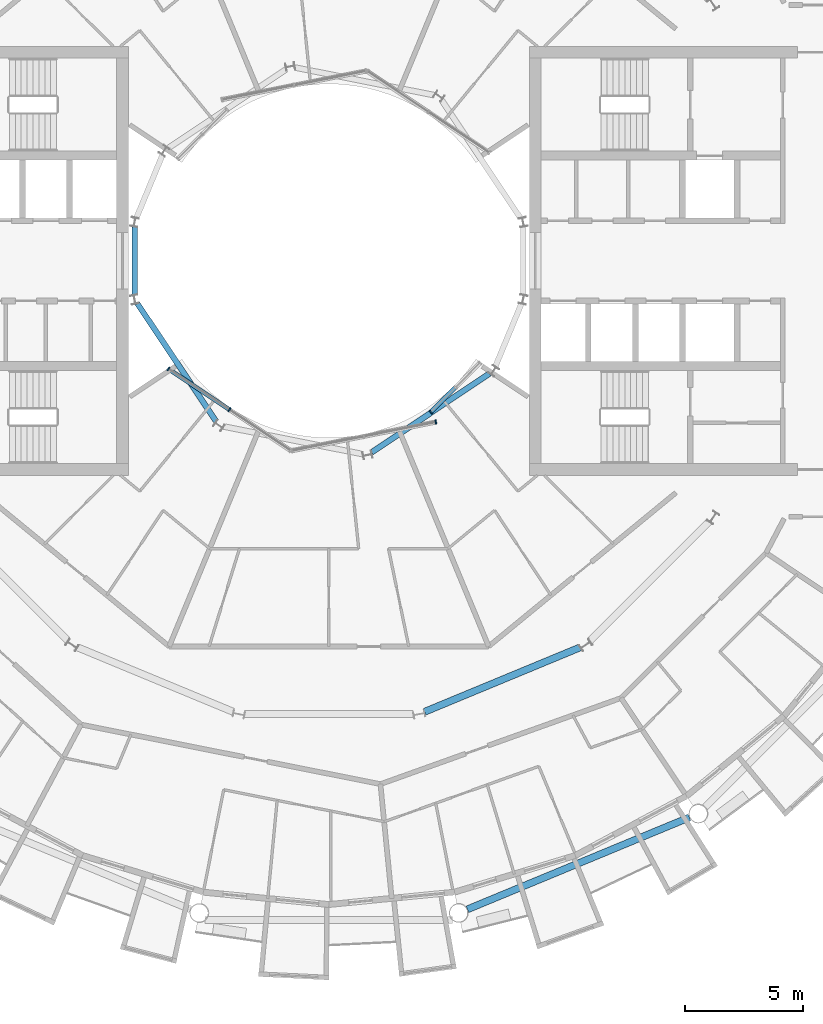
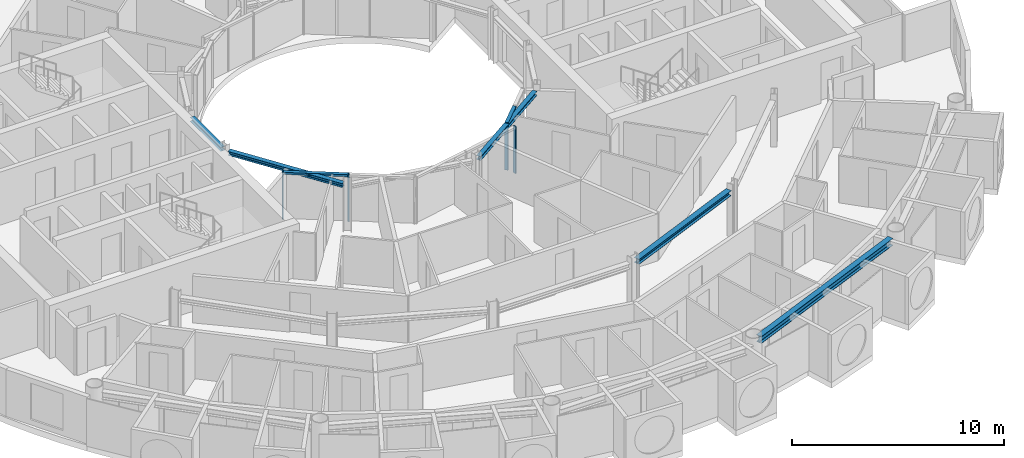
# One storey, part 6 of 28: 6 members, 5 beams, 3 elements without a shape of their own.
"""IFC4 building model written with IfcOpenShell, lengths in metres."""

import ifcopenshell
import ifcopenshell.guid

model = None  # the IFC model being written
_history = None  # IfcOwnerHistory: only IFC2X3 demands one
_inside = {}  # id of a spatial element -> (the spatial element, [elements in it])
_under = {}  # id of a project, library or spatial element -> (it, [spatial elements below it])
_declared = {}  # id of a project -> (the project, [libraries it declares])
_typed = {}  # id of a type object -> (the type object, [elements of that type])
_made_of = {}  # id of a material, layer set ... -> (it, [elements and type objects made of it])


def new_model(schema):
    """Start an empty IFC model of exactly this schema.

    Asked for "IFC4X3", IfcOpenShell would pick the latest addendum, in which some entities
    have other attributes; the version numbers below select the first issue.
    IFC2X3 requires an IfcOwnerHistory on every rooted entity: one is made here for all.
    """
    global model, _history
    if schema == "IFC4X3":
        model = ifcopenshell.file(schema_version=(4, 3, 0, 0))
    else:
        model = ifcopenshell.file(schema=schema)
    _inside.clear()
    _under.clear()
    _declared.clear()
    _typed.clear()
    _made_of.clear()
    _history = None
    if model.schema == "IFC2X3":
        org = make("IfcOrganization", Name="unknown")
        user = make(
            "IfcPersonAndOrganization",
            ThePerson=make("IfcPerson", FamilyName="unknown"),
            TheOrganization=org,
        )
        app = make(
            "IfcApplication",
            ApplicationDeveloper=org,
            Version="unknown",
            ApplicationFullName="unknown",
            ApplicationIdentifier="unknown",
        )
        _history = make(
            "IfcOwnerHistory",
            OwningUser=user,
            OwningApplication=app,
            ChangeAction="ADDED",
            CreationDate=0,
        )
    return model


def make(cls, **values):
    """One entity of the class cls with the attributes given. An attribute that is None is left unset."""
    return model.create_entity(
        cls, **{name: value for name, value in values.items() if value is not None}
    )


def rooted(cls, **values):
    """An entity with a GlobalId (a new one), such as an element, a storey or a relation."""
    return make(cls, GlobalId=ifcopenshell.guid.new(), OwnerHistory=_history, **values)


def si_unit(unit_type, name, prefix=None):
    """IfcSIUnit, for example si_unit("LENGTHUNIT", "METRE", prefix="MILLI")."""
    return make("IfcSIUnit", UnitType=unit_type, Prefix=prefix, Name=name)


def assignment(units):
    """IfcUnitAssignment: the units of a project."""
    return None if units is None else make("IfcUnitAssignment", Units=units)


def point(xyz):
    """IfcCartesianPoint."""
    return None if xyz is None else make("IfcCartesianPoint", Coordinates=xyz)


def direction(xyz):
    """IfcDirection."""
    return None if xyz is None else make("IfcDirection", DirectionRatios=xyz)


def frame(location, z_axis=None, x_axis=None):
    """IfcAxis2Placement3D, a coordinate frame: its origin and axes. An axis left out is left unset."""
    return make(
        "IfcAxis2Placement3D",
        Location=point(location),
        Axis=direction(z_axis),
        RefDirection=direction(x_axis),
    )


def frame_2d(location, x_axis=None):
    """IfcAxis2Placement2D, a coordinate frame in the plane: its origin and x axis."""
    return make(
        "IfcAxis2Placement2D", Location=point(location), RefDirection=direction(x_axis)
    )


def origin():
    """The frame at (0, 0, 0) with its axes left unset."""
    return frame((0.0, 0.0, 0.0))


def origin_2d():
    """The frame at (0, 0) in the plane with its x axis left unset."""
    return frame_2d((0.0, 0.0))


def place(relative_to, where):
    """IfcLocalPlacement: puts the frame where relative to a parent placement (None: the world)."""
    return make(
        "IfcLocalPlacement", PlacementRelTo=relative_to, RelativePlacement=where
    )


def context(
    kind, dimensions, precision=None, world=None, true_north=None, identifier=None
):
    """IfcGeometricRepresentationContext, for example the 3D "Model" context."""
    return make(
        "IfcGeometricRepresentationContext",
        ContextIdentifier=identifier,
        ContextType=kind,
        CoordinateSpaceDimension=dimensions,
        Precision=precision,
        WorldCoordinateSystem=world,
        TrueNorth=true_north,
    )


def subcontext(parent, identifier, kind, view, scale=None):
    """IfcGeometricRepresentationSubContext, for example "Body" below "Model"."""
    return make(
        "IfcGeometricRepresentationSubContext",
        ContextIdentifier=identifier,
        ContextType=kind,
        ParentContext=parent,
        TargetScale=scale,
        TargetView=view,
    )


def project(units=None, contexts=None):
    """IfcProject with its units and contexts."""
    return rooted(
        "IfcProject",
        Name="project",
        RepresentationContexts=contexts,
        UnitsInContext=assignment(units),
    )


def spatial(cls, under=None, at=None, **own):
    """A site, building, storey or space (cls), placed at a placement, below another one or the project."""
    s = rooted(cls, ObjectPlacement=at, **own)
    if under is not None:
        _under.setdefault(under.id(), (under, []))[1].append(s)
    return s


def profile(cls, at=None, kind="AREA", **sizes):
    """A parametric profile (cls). Its sizes go by their IFC names, for example OverallWidth=200.0."""
    return make(cls, ProfileType=kind, Position=at, **sizes)


def rectangle(**sizes):
    """IfcRectangleProfileDef."""
    return profile("IfcRectangleProfileDef", **sizes)


def i_section(**sizes):
    """IfcIShapeProfileDef."""
    return profile("IfcIShapeProfileDef", **sizes)


def extrude(swept, where, along, depth):
    """IfcExtrudedAreaSolid: the profile swept, set in the frame where, extruded along a direction by depth."""
    return make(
        "IfcExtrudedAreaSolid",
        SweptArea=swept,
        Position=where,
        ExtrudedDirection=direction(along),
        Depth=depth,
    )


def shape(context_of_items, identifier, shape_type, items):
    """IfcShapeRepresentation: the items that make up one representation, for example the "Body"."""
    return make(
        "IfcShapeRepresentation",
        ContextOfItems=context_of_items,
        RepresentationIdentifier=identifier,
        RepresentationType=shape_type,
        Items=items,
    )


def material(Name=None, Category=None):
    """IfcMaterial."""
    return make("IfcMaterial", Name=Name, Category=Category)


def layer(
    of_material, thickness, ventilated=None, Name=None, Category=None, Priority=None
):
    """IfcMaterialLayer: one layer of a wall or slab, of a material (None: an air gap)."""
    return make(
        "IfcMaterialLayer",
        Material=of_material,
        LayerThickness=thickness,
        IsVentilated=ventilated,
        Name=Name,
        Category=Category,
        Priority=Priority,
    )


def layer_set(layers, Name=None):
    """IfcMaterialLayerSet."""
    return make("IfcMaterialLayerSet", MaterialLayers=layers, LayerSetName=Name)


def material_profile(
    of_material, cross_section, Name=None, Category=None, Priority=None
):
    """IfcMaterialProfile: a cross section and its material."""
    return make(
        "IfcMaterialProfile",
        Name=Name,
        Material=of_material,
        Profile=cross_section,
        Priority=Priority,
        Category=Category,
    )


def profile_set(profiles, Name=None, composite=None):
    """IfcMaterialProfileSet."""
    return make(
        "IfcMaterialProfileSet",
        Name=Name,
        MaterialProfiles=profiles,
        CompositeProfile=composite,
    )


def made_of(thing, what):
    """Note that an element or type object is made of a material, layer set ...; save() writes the relation."""
    if what is not None:
        _made_of.setdefault(what.id(), (what, []))[1].append(thing)
    return thing


def type_object(cls, material=None, **own):
    """A type object (cls), such as IfcWallType, which elements share."""
    return made_of(rooted(cls, **own), material)


def element(
    cls,
    number,
    at=None,
    inside=None,
    cuts=None,
    type_object=None,
    material=None,
    context=None,
    identifier="Body",
    shape_type=None,
    held_by="IfcProductDefinitionShape",
    body=None,
    shapes=None,
    **own,
):
    """One element of the class cls, such as IfcWall. Its Tag is "e" and its number.

    at: its placement. inside: the storey or other place that contains it. cuts: it is an
    opening in that element (IfcRelVoidsElement). A single representation is given by context,
    identifier, shape_type and body (its items); several are given by shapes. held_by: the class
    of the entity that holds the representations. save() writes the other relations.
    """
    e = rooted(cls, Tag="e%d" % number, ObjectPlacement=at, **own)
    if body is not None:
        shapes = [shape(context, identifier, shape_type, body)]
    if shapes is not None:
        e.Representation = make(held_by, Representations=shapes)
    if inside is not None:
        _inside.setdefault(inside.id(), (inside, []))[1].append(e)
    if cuts is not None:
        rooted(
            "IfcRelVoidsElement", RelatingBuildingElement=cuts, RelatedOpeningElement=e
        )
    if type_object is not None:
        _typed.setdefault(type_object.id(), (type_object, []))[1].append(e)
    return made_of(e, material)


def aggregate(whole, parts):
    """IfcRelAggregates: a whole, such as a stair, and the parts it consists of."""
    return rooted("IfcRelAggregates", RelatingObject=whole, RelatedObjects=parts)


def save(model, path):
    """Write the relations noted so far, then the file.

    IfcRelAggregates (storeys below a building ...), IfcRelContainedInSpatialStructure (elements
    in a storey), IfcRelDefinesByType, IfcRelAssociatesMaterial and IfcRelDeclares: one each for
    every whole, place, type object, material and project.
    """
    for whole, parts in _under.values():
        aggregate(whole, parts)
    for where, things in _inside.values():
        rooted(
            "IfcRelContainedInSpatialStructure",
            RelatedElements=things,
            RelatingStructure=where,
        )
    for kind, things in _typed.values():
        rooted("IfcRelDefinesByType", RelatedObjects=things, RelatingType=kind)
    for what, things in _made_of.values():
        rooted("IfcRelAssociatesMaterial", RelatedObjects=things, RelatingMaterial=what)
    for by, libraries in _declared.values():
        rooted("IfcRelDeclares", RelatingContext=by, RelatedDefinitions=libraries)
    model.write(path)


model = new_model("IFC4")

# Units and contexts
model_context = context("Model", 3, precision=1e-05, world=origin(), true_north=direction((0.0, 1.0)))
body_context = subcontext(model_context, "Body", "Model", "MODEL_VIEW")
ifc_project = project(units=[si_unit("LENGTHUNIT", "METRE"), si_unit("AREAUNIT", "SQUARE_METRE"), si_unit("VOLUMEUNIT", "CUBIC_METRE"), si_unit("PLANEANGLEUNIT", "RADIAN"), si_unit("MASSUNIT", "GRAM", prefix="KILO")], contexts=[model_context])

# Site, building, storey
site_placement = place(None, origin())
site = spatial("IfcSite", under=ifc_project, at=site_placement, CompositionType="ELEMENT")
building_placement = place(site_placement, origin())
building = spatial("IfcBuilding", under=site, at=building_placement, Name="Maasbend Ring Residences", CompositionType="ELEMENT")
storey_placement = place(building_placement, frame((0.0, 0.0, 173.800048828125)))
storey = spatial("IfcBuildingStorey", under=building, at=storey_placement, Name="L50", CompositionType="ELEMENT", Elevation=173.800048828125)

# Curtain wall, members
ifc_material_1 = material(Name="Aluminium and clear glass", Category="aluminium")
ifc_layer = layer(ifc_material_1, 0.179931640625)
ifc_layer_set = layer_set([ifc_layer], Name="CW-W")
curtain_wall_type = type_object("IfcCurtainWallType", Name="CW-W", PredefinedType="NOTDEFINED", material=ifc_layer_set)
curtain_wall_1_placement = place(storey_placement, origin())
curtain_wall_1 = element("IfcCurtainWall", 1, at=curtain_wall_1_placement, inside=storey, type_object=curtain_wall_type, Name="Well curtain wall S1", PredefinedType="NOTDEFINED")
ifc_material_2 = material(Name="Aluminium 6063-T6", Category="aluminium")
ifc_material_profile_1 = material_profile(ifc_material_2, rectangle(XDim=0.179931640625, YDim=0.06005859375, at=origin_2d()), Name="AL 180x60")
ifc_profile_set_1 = profile_set([ifc_material_profile_1], Name="Aluminium 6063-T6")
member_type_1 = type_object("IfcMemberType", Name="CWM-W", PredefinedType="MULLION", material=ifc_profile_set_1)
member_1_placement = place(storey_placement, frame((-6.805908203125, -4.580810546875, 0.0), z_axis=(0.0, 0.0, 1.0), x_axis=(0.55557023302, 0.831469612303, 0.0)))
member_1 = element("IfcMember", 2, at=member_1_placement, type_object=member_type_1, Name="Mullion well face", PredefinedType="MULLION", context=body_context, shape_type="SweptSolid", body=[
    extrude(rectangle(XDim=0.179931640625, YDim=0.06005859375, at=origin_2d()), origin(), (0.0, 0.0, 1.0), 2.699951171875),
])
member_2_placement = place(storey_placement, frame((-4.216796875, -6.310791015625, 0.0), z_axis=(0.0, 0.0, 1.0), x_axis=(0.55557023302, 0.831469612303, 0.0)))
member_2 = element("IfcMember", 3, at=member_2_placement, type_object=member_type_1, Name="Mullion well face", PredefinedType="MULLION", context=body_context, shape_type="SweptSolid", body=[
    extrude(rectangle(XDim=0.179931640625, YDim=0.06005859375, at=origin_2d()), origin(), (0.0, 0.0, 1.0), 2.699951171875),
])

# Curtain wall, member
curtain_wall_2_placement = place(storey_placement, origin())
curtain_wall_2 = element("IfcCurtainWall", 4, at=curtain_wall_2_placement, inside=storey, type_object=curtain_wall_type, Name="Well curtain wall S2", PredefinedType="NOTDEFINED")
member_3_placement = place(storey_placement, frame((4.53466796875, -6.836669921875, 0.0), z_axis=(0.0, 0.0, 1.0), x_axis=(-0.195090322016, 0.980785280403, 0.0)))
member_3 = element("IfcMember", 5, at=member_3_placement, type_object=member_type_1, Name="Mullion well face", PredefinedType="MULLION", context=body_context, shape_type="SweptSolid", body=[
    extrude(rectangle(XDim=0.179931640625, YDim=0.06005859375, at=origin_2d()), origin(), (0.0, 0.0, 1.0), 2.699951171875),
])
aggregate(curtain_wall_2, [member_3])

curtain_wall_3_placement = place(storey_placement, origin())
curtain_wall_3 = element("IfcCurtainWall", 6, at=curtain_wall_3_placement, inside=storey, type_object=curtain_wall_type, Name="Well curtain wall S3", PredefinedType="NOTDEFINED")
member_4_placement = place(storey_placement, frame((4.320556640625, -6.413330078125, 0.0), z_axis=(0.0, 0.0, 1.0), x_axis=(-0.707106781187, 0.707106781187, 0.0)))
member_4 = element("IfcMember", 7, at=member_4_placement, type_object=member_type_1, Name="Mullion well face", PredefinedType="MULLION", context=body_context, shape_type="SweptSolid", body=[
    extrude(rectangle(XDim=0.179931640625, YDim=0.06005859375, at=origin_2d()), origin(), (0.0, 0.0, 1.0), 2.699951171875),
])

# Member
ifc_material_3 = material(Name="Aluminium 6063-T6", Category="aluminium")
ifc_material_profile_2 = material_profile(ifc_material_3, rectangle(XDim=0.179931640625, YDim=0.1201171875, at=origin_2d()), Name="AL 180x120")
ifc_profile_set_2 = profile_set([ifc_material_profile_2], Name="Aluminium 6063-T6")
member_type_2 = type_object("IfcMemberType", Name="CWT-W", PredefinedType="USERDEFINED", material=ifc_profile_set_2)
member_5_placement = place(storey_placement, frame((-6.781005859375, -4.59765625, 2.639892578125), z_axis=(0.831496422459, -0.555530106689, 0.0), x_axis=(0.555530106689, 0.831496422459, 0.0)))
member_5 = element("IfcMember", 8, at=member_5_placement, type_object=member_type_2, Name="Transom well face", ObjectType="TRANSOM", PredefinedType="USERDEFINED", context=body_context, shape_type="SweptSolid", body=[
    extrude(rectangle(XDim=0.179931640625, YDim=0.1201171875, at=origin_2d()), origin(), (0.0, 0.0, 1.0), 3.053955078125),
])

aggregate(curtain_wall_1, [member_1, member_2, member_5])

member_6_placement = place(storey_placement, frame((4.341796875, -6.39208984375, 2.639892578125), z_axis=(0.707106781187, 0.707106781187, 0.0), x_axis=(-0.707106781187, 0.707106781187, 0.0)))
member_6 = element("IfcMember", 9, at=member_6_placement, type_object=member_type_2, Name="Transom well face", ObjectType="TRANSOM", PredefinedType="USERDEFINED", context=body_context, shape_type="SweptSolid", body=[
    extrude(rectangle(XDim=0.179931640625, YDim=0.1201171875, at=origin_2d()), origin(), (0.0, 0.0, 1.0), 1.419677734375),
])

aggregate(curtain_wall_3, [member_4, member_6])

# Beams
ifc_material_4 = material(Name="Steel S355J2", Category="steel")
ifc_material_profile_3 = material_profile(ifc_material_4, i_section(OverallWidth=0.300048828125, OverallDepth=0.2900390625, WebThickness=0.008544921875, FlangeThickness=0.013916015625, FilletRadius=0.027099609375, at=origin_2d()), Name="HEA 300")
ifc_profile_set_3 = profile_set([ifc_material_profile_3], Name="Steel S355J2")
beam_type_1 = type_object("IfcBeamType", Name="Corridor ring beam HEA 300", PredefinedType="BEAM", material=ifc_profile_set_3)
beam_1_placement = place(storey_placement, frame((4.059326171875, -19.1259765625, 2.554931640625), z_axis=(0.923871339849, 0.382703210602, 0.0), x_axis=(-0.382703210602, 0.923871339849, 0.0)))
element("IfcBeam", 10, at=beam_1_placement, inside=storey, type_object=beam_type_1, Name="Corridor ring beam", PredefinedType="BEAM", context=body_context, shape_type="SweptSolid", body=[
    extrude(i_section(OverallWidth=0.300048828125, OverallDepth=0.2900390625, WebThickness=0.008544921875, FlangeThickness=0.013916015625, FilletRadius=0.027099609375, at=origin_2d()), origin(), (0.0, 0.0, 1.0), 7.137939453125),
])
ifc_material_5 = material(Name="Steel S355J2", Category="steel")
ifc_material_profile_4 = material_profile(ifc_material_5, i_section(OverallWidth=0.300048828125, OverallDepth=0.39990234375, WebThickness=0.013427734375, FlangeThickness=0.02392578125, FilletRadius=0.027099609375, at=origin_2d()), Name="HEB 400")
ifc_profile_set_4 = profile_set([ifc_material_profile_4], Name="Steel S355J2")
beam_type_2 = type_object("IfcBeamType", Name="Spandrel ring beam HEB 400", PredefinedType="SPANDREL", material=ifc_profile_set_4)
beam_2_placement = place(storey_placement, frame((5.877197265625, -27.50244140625, 2.5), z_axis=(0.923883676188, 0.382673428492, 0.0), x_axis=(-0.382673428492, 0.923883676188, 0.0)))
element("IfcBeam", 11, at=beam_2_placement, inside=storey, type_object=beam_type_2, Name="Spandrel ring beam", PredefinedType="SPANDREL", context=body_context, shape_type="SweptSolid", body=[
    extrude(i_section(OverallWidth=0.300048828125, OverallDepth=0.39990234375, WebThickness=0.013427734375, FlangeThickness=0.02392578125, FilletRadius=0.027099609375, at=origin_2d()), origin(), (0.0, 0.0, 1.0), 10.18994140625),
])
ifc_material_6 = material(Name="Steel S355J2", Category="steel")
ifc_material_profile_5 = material_profile(ifc_material_6, i_section(OverallWidth=0.239990234375, OverallDepth=0.22998046875, WebThickness=0.007568359375, FlangeThickness=0.011962890625, FilletRadius=0.02099609375, at=origin_2d()), Name="HEA 240")
ifc_profile_set_5 = profile_set([ifc_material_profile_5], Name="Steel S355J2")
beam_type_3 = type_object("IfcBeamType", Name="Well edge beam HEA 240", PredefinedType="BEAM", material=ifc_profile_set_5)
beam_3_placement = place(storey_placement, frame((-8.238525390625, 1.43994140625, 2.5849609375), z_axis=(0.0, -1.0, 0.0), x_axis=(1.0, 0.0, 0.0)))
element("IfcBeam", 12, at=beam_3_placement, inside=storey, type_object=beam_type_3, Name="Well edge beam", PredefinedType="BEAM", context=body_context, shape_type="SweptSolid", body=[
    extrude(i_section(OverallWidth=0.239990234375, OverallDepth=0.22998046875, WebThickness=0.007568359375, FlangeThickness=0.011962890625, FilletRadius=0.02099609375, at=origin_2d()), origin(), (0.0, 0.0, 1.0), 2.8798828125),
])
for number, where, z_axis, x_axis, name in (
    (13, (-8.121337890625, -1.814208984375, 2.5849609375), (0.555553413909, -0.831480850227, 0.0), (0.831480850227, 0.555553413909, 0.0), "Well edge beam"),
    (14, (1.814208984375, -8.121337890625, 2.5849609375), (0.831480850227, 0.555553413909, 0.0), (-0.555553413909, 0.831480850227, 0.0), "Well edge beam"),
):
    element("IfcBeam", number, at=place(storey_placement, frame(where, z_axis=z_axis, x_axis=x_axis)), inside=storey, type_object=beam_type_3, Name=name, PredefinedType="BEAM", context=body_context, shape_type="SweptSolid", body=[
        extrude(i_section(OverallWidth=0.239990234375, OverallDepth=0.22998046875, WebThickness=0.007568359375, FlangeThickness=0.011962890625, FilletRadius=0.02099609375, at=origin_2d()), origin(), (0.0, 0.0, 1.0), 6.0068359375),
    ])

save(model, "model.ifc")
